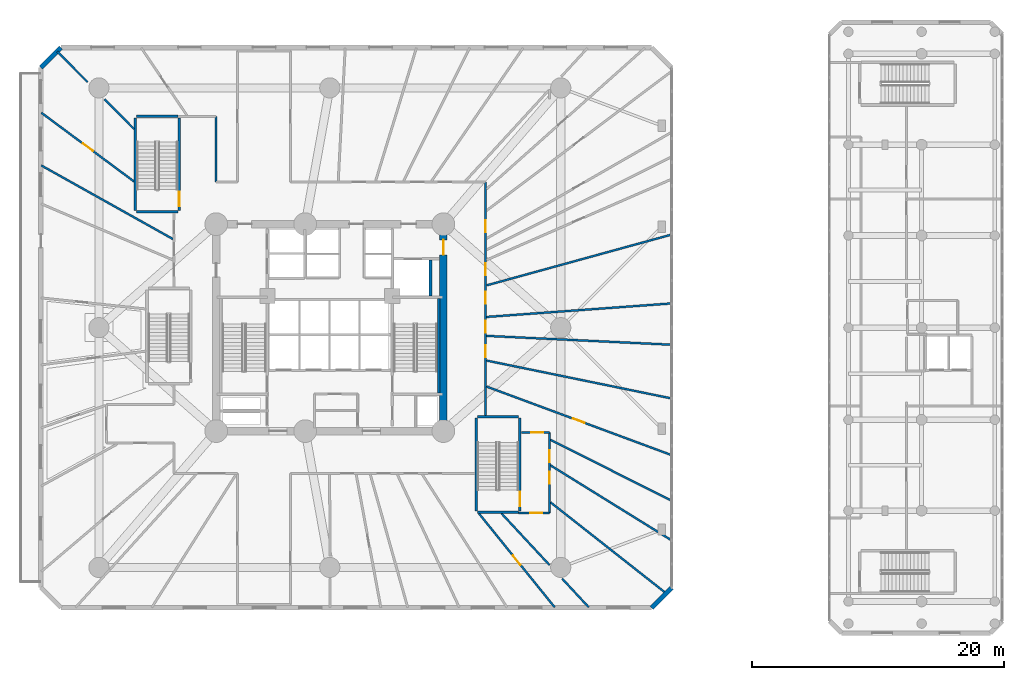
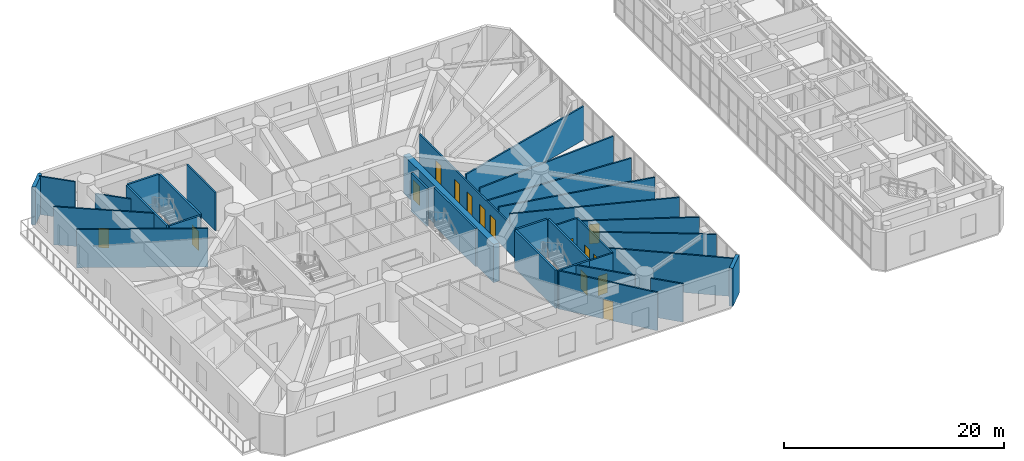
# One storey, part 15 of 24: 33 walls, 15 doors, 15 openings.
"""IFC4 building model written with IfcOpenShell, lengths in metres."""

import ifcopenshell
import ifcopenshell.guid

model = None  # the IFC model being written
_history = None  # IfcOwnerHistory: only IFC2X3 demands one
_inside = {}  # id of a spatial element -> (the spatial element, [elements in it])
_under = {}  # id of a project, library or spatial element -> (it, [spatial elements below it])
_declared = {}  # id of a project -> (the project, [libraries it declares])
_typed = {}  # id of a type object -> (the type object, [elements of that type])
_made_of = {}  # id of a material, layer set ... -> (it, [elements and type objects made of it])


def new_model(schema):
    """Start an empty IFC model of exactly this schema.

    Asked for "IFC4X3", IfcOpenShell would pick the latest addendum, in which some entities
    have other attributes; the version numbers below select the first issue.
    IFC2X3 requires an IfcOwnerHistory on every rooted entity: one is made here for all.
    """
    global model, _history
    if schema == "IFC4X3":
        model = ifcopenshell.file(schema_version=(4, 3, 0, 0))
    else:
        model = ifcopenshell.file(schema=schema)
    _inside.clear()
    _under.clear()
    _declared.clear()
    _typed.clear()
    _made_of.clear()
    _history = None
    if model.schema == "IFC2X3":
        org = make("IfcOrganization", Name="unknown")
        user = make(
            "IfcPersonAndOrganization",
            ThePerson=make("IfcPerson", FamilyName="unknown"),
            TheOrganization=org,
        )
        app = make(
            "IfcApplication",
            ApplicationDeveloper=org,
            Version="unknown",
            ApplicationFullName="unknown",
            ApplicationIdentifier="unknown",
        )
        _history = make(
            "IfcOwnerHistory",
            OwningUser=user,
            OwningApplication=app,
            ChangeAction="ADDED",
            CreationDate=0,
        )
    return model


def make(cls, **values):
    """One entity of the class cls with the attributes given. An attribute that is None is left unset."""
    return model.create_entity(
        cls, **{name: value for name, value in values.items() if value is not None}
    )


def rooted(cls, **values):
    """An entity with a GlobalId (a new one), such as an element, a storey or a relation."""
    return make(cls, GlobalId=ifcopenshell.guid.new(), OwnerHistory=_history, **values)


def si_unit(unit_type, name, prefix=None):
    """IfcSIUnit, for example si_unit("LENGTHUNIT", "METRE", prefix="MILLI")."""
    return make("IfcSIUnit", UnitType=unit_type, Prefix=prefix, Name=name)


def assignment(units):
    """IfcUnitAssignment: the units of a project."""
    return None if units is None else make("IfcUnitAssignment", Units=units)


def point(xyz):
    """IfcCartesianPoint."""
    return None if xyz is None else make("IfcCartesianPoint", Coordinates=xyz)


def direction(xyz):
    """IfcDirection."""
    return None if xyz is None else make("IfcDirection", DirectionRatios=xyz)


def frame(location, z_axis=None, x_axis=None):
    """IfcAxis2Placement3D, a coordinate frame: its origin and axes. An axis left out is left unset."""
    return make(
        "IfcAxis2Placement3D",
        Location=point(location),
        Axis=direction(z_axis),
        RefDirection=direction(x_axis),
    )


def frame_2d(location, x_axis=None):
    """IfcAxis2Placement2D, a coordinate frame in the plane: its origin and x axis."""
    return make(
        "IfcAxis2Placement2D", Location=point(location), RefDirection=direction(x_axis)
    )


def origin():
    """The frame at (0, 0, 0) with its axes left unset."""
    return frame((0.0, 0.0, 0.0))


def origin_with_axes():
    """The frame at (0, 0, 0) with the z axis (0, 0, 1) and the x axis (1, 0, 0) written out."""
    return frame((0.0, 0.0, 0.0), z_axis=(0.0, 0.0, 1.0), x_axis=(1.0, 0.0, 0.0))


def place(relative_to, where):
    """IfcLocalPlacement: puts the frame where relative to a parent placement (None: the world)."""
    return make(
        "IfcLocalPlacement", PlacementRelTo=relative_to, RelativePlacement=where
    )


def context(
    kind, dimensions, precision=None, world=None, true_north=None, identifier=None
):
    """IfcGeometricRepresentationContext, for example the 3D "Model" context."""
    return make(
        "IfcGeometricRepresentationContext",
        ContextIdentifier=identifier,
        ContextType=kind,
        CoordinateSpaceDimension=dimensions,
        Precision=precision,
        WorldCoordinateSystem=world,
        TrueNorth=true_north,
    )


def subcontext(parent, identifier, kind, view, scale=None):
    """IfcGeometricRepresentationSubContext, for example "Body" below "Model"."""
    return make(
        "IfcGeometricRepresentationSubContext",
        ContextIdentifier=identifier,
        ContextType=kind,
        ParentContext=parent,
        TargetScale=scale,
        TargetView=view,
    )


def project(units=None, contexts=None):
    """IfcProject with its units and contexts."""
    return rooted(
        "IfcProject",
        Name="project",
        RepresentationContexts=contexts,
        UnitsInContext=assignment(units),
    )


def spatial(cls, under=None, at=None, **own):
    """A site, building, storey or space (cls), placed at a placement, below another one or the project."""
    s = rooted(cls, ObjectPlacement=at, **own)
    if under is not None:
        _under.setdefault(under.id(), (under, []))[1].append(s)
    return s


def profile(cls, at=None, kind="AREA", **sizes):
    """A parametric profile (cls). Its sizes go by their IFC names, for example OverallWidth=200.0."""
    return make(cls, ProfileType=kind, Position=at, **sizes)


def rectangle(**sizes):
    """IfcRectangleProfileDef."""
    return profile("IfcRectangleProfileDef", **sizes)


def extrude(swept, where, along, depth):
    """IfcExtrudedAreaSolid: the profile swept, set in the frame where, extruded along a direction by depth."""
    return make(
        "IfcExtrudedAreaSolid",
        SweptArea=swept,
        Position=where,
        ExtrudedDirection=direction(along),
        Depth=depth,
    )


def shape(context_of_items, identifier, shape_type, items):
    """IfcShapeRepresentation: the items that make up one representation, for example the "Body"."""
    return make(
        "IfcShapeRepresentation",
        ContextOfItems=context_of_items,
        RepresentationIdentifier=identifier,
        RepresentationType=shape_type,
        Items=items,
    )


def source(mapping_origin, context_of_items, identifier, shape_type, items):
    """IfcRepresentationMap: a shape defined once, which mapped items show again and again."""
    return make(
        "IfcRepresentationMap",
        MappingOrigin=mapping_origin,
        MappedRepresentation=shape(context_of_items, identifier, shape_type, items),
    )


def transform(
    local_origin,
    x_axis=None,
    y_axis=None,
    z_axis=None,
    scale=None,
    scale2=None,
    scale3=None,
    uniform=True,
):
    """IfcCartesianTransformationOperator3D, or its non-uniform kind. x_axis, y_axis, z_axis: its Axis1, 2, 3."""
    if uniform:
        return make(
            "IfcCartesianTransformationOperator3D",
            Axis1=direction(x_axis),
            Axis2=direction(y_axis),
            LocalOrigin=point(local_origin),
            Scale=scale,
            Axis3=direction(z_axis),
        )
    return make(
        "IfcCartesianTransformationOperator3DnonUniform",
        Axis1=direction(x_axis),
        Axis2=direction(y_axis),
        LocalOrigin=point(local_origin),
        Scale=scale,
        Axis3=direction(z_axis),
        Scale2=scale2,
        Scale3=scale3,
    )


def mapped(mapping_source, mapping_target):
    """IfcMappedItem: shows the shape of a source again, moved by a transform."""
    return make(
        "IfcMappedItem", MappingSource=mapping_source, MappingTarget=mapping_target
    )


def material(Name=None, Category=None):
    """IfcMaterial."""
    return make("IfcMaterial", Name=Name, Category=Category)


def layer(
    of_material, thickness, ventilated=None, Name=None, Category=None, Priority=None
):
    """IfcMaterialLayer: one layer of a wall or slab, of a material (None: an air gap)."""
    return make(
        "IfcMaterialLayer",
        Material=of_material,
        LayerThickness=thickness,
        IsVentilated=ventilated,
        Name=Name,
        Category=Category,
        Priority=Priority,
    )


def layer_set(layers, Name=None):
    """IfcMaterialLayerSet."""
    return make("IfcMaterialLayerSet", MaterialLayers=layers, LayerSetName=Name)


def made_of(thing, what):
    """Note that an element or type object is made of a material, layer set ...; save() writes the relation."""
    if what is not None:
        _made_of.setdefault(what.id(), (what, []))[1].append(thing)
    return thing


def type_object(cls, material=None, **own):
    """A type object (cls), such as IfcWallType, which elements share."""
    return made_of(rooted(cls, **own), material)


def element(
    cls,
    number,
    at=None,
    inside=None,
    cuts=None,
    type_object=None,
    material=None,
    context=None,
    identifier="Body",
    shape_type=None,
    held_by="IfcProductDefinitionShape",
    body=None,
    shapes=None,
    **own,
):
    """One element of the class cls, such as IfcWall. Its Tag is "e" and its number.

    at: its placement. inside: the storey or other place that contains it. cuts: it is an
    opening in that element (IfcRelVoidsElement). A single representation is given by context,
    identifier, shape_type and body (its items); several are given by shapes. held_by: the class
    of the entity that holds the representations. save() writes the other relations.
    """
    e = rooted(cls, Tag="e%d" % number, ObjectPlacement=at, **own)
    if body is not None:
        shapes = [shape(context, identifier, shape_type, body)]
    if shapes is not None:
        e.Representation = make(held_by, Representations=shapes)
    if inside is not None:
        _inside.setdefault(inside.id(), (inside, []))[1].append(e)
    if cuts is not None:
        rooted(
            "IfcRelVoidsElement", RelatingBuildingElement=cuts, RelatedOpeningElement=e
        )
    if type_object is not None:
        _typed.setdefault(type_object.id(), (type_object, []))[1].append(e)
    return made_of(e, material)


def fill(opening, filler):
    """IfcRelFillsElement: the door or window that sits in an opening."""
    return rooted(
        "IfcRelFillsElement",
        RelatingOpeningElement=opening,
        RelatedBuildingElement=filler,
    )


def aggregate(whole, parts):
    """IfcRelAggregates: a whole, such as a stair, and the parts it consists of."""
    return rooted("IfcRelAggregates", RelatingObject=whole, RelatedObjects=parts)


def save(model, path):
    """Write the relations noted so far, then the file.

    IfcRelAggregates (storeys below a building ...), IfcRelContainedInSpatialStructure (elements
    in a storey), IfcRelDefinesByType, IfcRelAssociatesMaterial and IfcRelDeclares: one each for
    every whole, place, type object, material and project.
    """
    for whole, parts in _under.values():
        aggregate(whole, parts)
    for where, things in _inside.values():
        rooted(
            "IfcRelContainedInSpatialStructure",
            RelatedElements=things,
            RelatingStructure=where,
        )
    for kind, things in _typed.values():
        rooted("IfcRelDefinesByType", RelatedObjects=things, RelatingType=kind)
    for what, things in _made_of.values():
        rooted("IfcRelAssociatesMaterial", RelatedObjects=things, RelatingMaterial=what)
    for by, libraries in _declared.values():
        rooted("IfcRelDeclares", RelatingContext=by, RelatedDefinitions=libraries)
    model.write(path)


model = new_model("IFC4")

# Units and contexts
model_context = context("Model", 3, precision=1e-05, world=origin(), true_north=direction((0.0, 1.0)))
body_context = subcontext(model_context, "Body", "Model", "MODEL_VIEW")
ifc_project = project(units=[si_unit("LENGTHUNIT", "METRE"), si_unit("AREAUNIT", "SQUARE_METRE"), si_unit("VOLUMEUNIT", "CUBIC_METRE"), si_unit("PLANEANGLEUNIT", "RADIAN"), si_unit("MASSUNIT", "GRAM", prefix="KILO")], contexts=[model_context])

# Site, building, storey
site_placement = place(None, origin())
site = spatial("IfcSite", under=ifc_project, at=site_placement, CompositionType="ELEMENT")
building_placement = place(site_placement, origin())
building = spatial("IfcBuilding", under=site, at=building_placement, Name="Karkom Vertical University and Central Library", CompositionType="ELEMENT")
storey_placement = place(building_placement, frame((0.0, 0.0, 13.5)))
storey = spatial("IfcBuildingStorey", under=building, at=storey_placement, Name="L03", CompositionType="ELEMENT", Elevation=13.5)

# Walls
ifc_material_1 = material(Name="Brick masonry 360mm insulated cavity", Category="masonry")
ifc_layer_1 = layer(ifc_material_1, 0.360107421875)
ifc_layer_set_1 = layer_set([ifc_layer_1], Name="Brick masonry 360mm insulated cavity")
wall_type_1 = type_object("IfcWallType", Name="ENV-WL-BRK-360", PredefinedType="SOLIDWALL", material=ifc_layer_set_1)
wall_1_placement = place(storey_placement, frame((54.0, 4.300048828125, 0.0), z_axis=(0.0, 0.0, 1.0), x_axis=(0.707160727918, 0.707052830339, 0.0)))
element("IfcWall", 1, at=wall_1_placement, inside=storey, type_object=wall_type_1, Name="Level 03 POD Terracotta Brick Facade Wall 02", PredefinedType="SOLIDWALL", context=body_context, shape_type="SweptSolid", body=[
    extrude(rectangle(XDim=2.2626953125, YDim=0.360107421875, at=frame_2d((1.13134765625, 0.0))), origin(), (0.0, 0.0, 1.0), 4.22509765625),
])
wall_2_placement = place(storey_placement, frame((7.199951171875, 48.699951171875, 0.0), z_axis=(0.0, 0.0, 1.0), x_axis=(-0.707106781187, -0.707106781187, 0.0)))
element("IfcWall", 2, at=wall_2_placement, inside=storey, type_object=wall_type_1, Name="Level 03 POD Terracotta Brick Facade Wall 06", PredefinedType="SOLIDWALL", context=body_context, shape_type="SweptSolid", body=[
    extrude(rectangle(XDim=2.262451171875, YDim=0.360107421875, at=frame_2d((1.13134765625, 0.0))), origin(), (0.0, 0.0, 1.0), 4.22509765625),
])

# Wall, openings, doors
ifc_material_2 = material(Name="Insulated metal-stud drywall 160mm", Category="gypsum")
ifc_layer_2 = layer(ifc_material_2, 0.159912109375)
ifc_layer_set_2 = layer_set([ifc_layer_2], Name="Insulated metal-stud drywall 160mm")
wall_type_2 = type_object("IfcWallType", Name="INT-WL-COR-160", PredefinedType="PARTITIONING", material=ifc_layer_set_2)
wall_3_placement = place(storey_placement, frame((40.85009765625, 38.050048828125, 0.0), z_axis=(0.0, 0.0, 1.0), x_axis=(0.0, -1.0, 0.0)))
wall_3 = element("IfcWall", 3, at=wall_3_placement, inside=storey, type_object=wall_type_2, Name="Level 03 Interior Partition Wall Level 03-PDCW-CW-009", PredefinedType="PARTITIONING", context=body_context, shape_type="SweptSolid", body=[
    extrude(rectangle(XDim=18.508056640625, YDim=0.159912109375, at=frame_2d((9.25390625, 0.0))), origin(), (0.0, 0.0, 1.0), 3.27490234375),
])
opening_1_placement = place(wall_3_placement, frame((12.93994140625, 0.0, 0.0)))
opening_1 = element("IfcOpeningElement", 4, at=opening_1_placement, cuts=wall_3, Name="Opening FD-RM2", PredefinedType="OPENING", context=body_context, shape_type="SweptSolid", body=[
    extrude(rectangle(XDim=0.9599609375, YDim=2.14990234375, at=frame_2d((0.47998046875, 1.074951171875))), frame((0.0, 0.08984375, 0.0), z_axis=(0.0, -1.0, 0.0), x_axis=(1.0, 0.0, 0.0)), (0.0, 0.0, 1.0), 0.179931640625),
])
opening_2_placement = place(wall_3_placement, frame((11.006103515625, 0.0, 0.0)))
opening_2 = element("IfcOpeningElement", 5, at=opening_2_placement, cuts=wall_3, Name="Opening FD-RM2", PredefinedType="OPENING", context=body_context, shape_type="SweptSolid", body=[
    extrude(rectangle(XDim=0.9599609375, YDim=2.14990234375, at=frame_2d((0.47998046875, 1.074951171875))), frame((0.0, 0.08984375, 0.0), z_axis=(0.0, -1.0, 0.0), x_axis=(1.0, 0.0, 0.0)), (0.0, 0.0, 1.0), 0.179931640625),
])
opening_3_placement = place(wall_3_placement, frame((8.695068359375, 0.0, 0.0)))
opening_3 = element("IfcOpeningElement", 6, at=opening_3_placement, cuts=wall_3, Name="Opening FD-RM2", PredefinedType="OPENING", context=body_context, shape_type="SweptSolid", body=[
    extrude(rectangle(XDim=0.9599609375, YDim=2.14990234375, at=frame_2d((0.47998046875, 1.074951171875))), frame((0.0, 0.08984375, 0.0), z_axis=(0.0, -1.0, 0.0), x_axis=(1.0, 0.0, 0.0)), (0.0, 0.0, 1.0), 0.179931640625),
])
opening_4_placement = place(wall_3_placement, frame((6.43408203125, 0.0, 0.0)))
opening_4 = element("IfcOpeningElement", 7, at=opening_4_placement, cuts=wall_3, Name="Opening FD-RM2", PredefinedType="OPENING", context=body_context, shape_type="SweptSolid", body=[
    extrude(rectangle(XDim=0.9599609375, YDim=2.14990234375, at=frame_2d((0.47998046875, 1.074951171875))), frame((0.0, 0.08984375, 0.0), z_axis=(0.0, -1.0, 0.0), x_axis=(1.0, 0.0, 0.0)), (0.0, 0.0, 1.0), 0.179931640625),
])
opening_5_placement = place(wall_3_placement, frame((3.02001953125, 0.0, 0.0)))
opening_5 = element("IfcOpeningElement", 8, at=opening_5_placement, cuts=wall_3, Name="Opening FD-RM2", PredefinedType="OPENING", context=body_context, shape_type="SweptSolid", body=[
    extrude(rectangle(XDim=0.9599609375, YDim=2.14990234375, at=frame_2d((0.47998046875, 1.074951171875))), frame((0.0, 0.08984375, 0.0), z_axis=(0.0, -1.0, 0.0), x_axis=(1.0, 0.0, 0.0)), (0.0, 0.0, 1.0), 0.179931640625),
])
ifc_material_3 = material(Name="Fire-rated oak veneer door", Category="wood")
door_type_1 = type_object("IfcDoorType", Name="INT-DR-FRM2", OperationType="NOTDEFINED", PredefinedType="DOOR", material=ifc_material_3)
shared_shape_1 = source(origin_with_axes(), body_context, "Body", "SweptSolid", [
    extrude(rectangle(XDim=0.9599609375, YDim=2.14990234375, at=frame_2d((0.47998046875, 1.074951171875))), frame((0.0, 0.02490234375, 0.0), z_axis=(0.0, -1.0, 0.0), x_axis=(1.0, 0.0, 0.0)), (0.0, 0.0, 1.0), 0.050048828125),
])
door_1_placement = place(opening_1_placement, origin())
door_1 = element("IfcDoor", 9, at=door_1_placement, inside=storey, type_object=door_type_1, Name="Level 03 Room Entry Door 819", OperationType="SINGLE_SWING_RIGHT", OverallHeight=2.14990234375, OverallWidth=0.9599609375, PredefinedType="DOOR", context=body_context, shape_type="MappedRepresentation", body=[
    mapped(shared_shape_1, transform((0.0, 0.0, 0.0), scale=1.0)),
])
fill(opening_1, door_1)
door_2_placement = place(opening_2_placement, origin())
door_2 = element("IfcDoor", 10, at=door_2_placement, inside=storey, type_object=door_type_1, Name="Level 03 Room Entry Door 820", OperationType="SINGLE_SWING_LEFT", OverallHeight=2.14990234375, OverallWidth=0.9599609375, PredefinedType="DOOR", context=body_context, shape_type="MappedRepresentation", body=[
    mapped(shared_shape_1, transform((0.0, 0.0, 0.0), scale=1.0)),
])
fill(opening_2, door_2)
door_3_placement = place(opening_3_placement, origin())
door_3 = element("IfcDoor", 11, at=door_3_placement, inside=storey, type_object=door_type_1, Name="Level 03 Room Entry Door 821", OperationType="SINGLE_SWING_RIGHT", OverallHeight=2.14990234375, OverallWidth=0.9599609375, PredefinedType="DOOR", context=body_context, shape_type="MappedRepresentation", body=[
    mapped(shared_shape_1, transform((0.0, 0.0, 0.0), scale=1.0)),
])
fill(opening_3, door_3)
door_4_placement = place(opening_4_placement, origin())
door_4 = element("IfcDoor", 12, at=door_4_placement, inside=storey, type_object=door_type_1, Name="Level 03 Room Entry Door 822", OperationType="SINGLE_SWING_LEFT", OverallHeight=2.14990234375, OverallWidth=0.9599609375, PredefinedType="DOOR", context=body_context, shape_type="MappedRepresentation", body=[
    mapped(shared_shape_1, transform((0.0, 0.0, 0.0), scale=1.0)),
])
fill(opening_4, door_4)
door_5_placement = place(opening_5_placement, origin())
door_5 = element("IfcDoor", 13, at=door_5_placement, inside=storey, type_object=door_type_1, Name="Level 03 Room Entry Door 824", OperationType="SINGLE_SWING_LEFT", OverallHeight=2.14990234375, OverallWidth=0.9599609375, PredefinedType="DOOR", context=body_context, shape_type="MappedRepresentation", body=[
    mapped(shared_shape_1, transform((0.0, 0.0, 0.0), scale=1.0)),
])
fill(opening_5, door_5)

# Wall, opening, door
wall_4_placement = place(storey_placement, frame((40.91796875, 21.83447265625, 0.0), z_axis=(0.0, 0.0, 1.0), x_axis=(0.937689005533, -0.347475652244, 0.0)))
wall_4 = element("IfcWall", 14, at=wall_4_placement, inside=storey, type_object=wall_type_2, Name="Level 03 Interior Partition Wall Level 03-PODW-18-19-1", PredefinedType="PARTITIONING", context=body_context, shape_type="SweptSolid", body=[
    extrude(rectangle(XDim=15.626708984375, YDim=0.159912109375, at=frame_2d((7.8134765625, 0.0))), origin(), (0.0, 0.0, 1.0), 4.22509765625),
])
opening_6_placement = place(wall_4_placement, frame((7.313232421875, 0.0, 0.0)))
opening_6 = element("IfcOpeningElement", 15, at=opening_6_placement, cuts=wall_4, Name="Opening FD-RM2", PredefinedType="OPENING", context=body_context, shape_type="SweptSolid", body=[
    extrude(rectangle(XDim=0.9599609375, YDim=2.14990234375, at=frame_2d((0.47998046875, 1.074951171875))), frame((0.0, 0.08984375, 0.0), z_axis=(0.0, -1.0, 0.0), x_axis=(1.0, 0.0, 0.0)), (0.0, 0.0, 1.0), 0.179931640625),
])
door_6_placement = place(opening_6_placement, origin())
door_6 = element("IfcDoor", 16, at=door_6_placement, inside=storey, type_object=door_type_1, Name="Level 03 Room Entry Door 818", OperationType="SINGLE_SWING_LEFT", OverallHeight=2.14990234375, OverallWidth=0.9599609375, PredefinedType="DOOR", context=body_context, shape_type="MappedRepresentation", body=[
    mapped(shared_shape_1, transform((0.0, 0.0, 0.0), scale=1.0)),
])
fill(opening_6, door_6)

# Walls
wall_5_placement = place(storey_placement, frame((40.931884765625, 29.852294921875, 0.0), z_axis=(0.0, 0.0, 1.0), x_axis=(0.964293624469, 0.264835431556, 0.0)))
element("IfcWall", 17, at=wall_5_placement, inside=storey, type_object=wall_type_2, Name="Level 03 Interior Partition Wall Level 03-PODW-22-23-1", PredefinedType="PARTITIONING", context=body_context, shape_type="SweptSolid", body=[
    extrude(rectangle(XDim=15.18310546875, YDim=0.159912109375, at=frame_2d((7.591552734375, 0.0))), origin(), (0.0, 0.0, 1.0), 3.72509765625),
])
wall_6_placement = place(storey_placement, frame((40.931884765625, 23.891357421875, 0.0), z_axis=(0.0, 0.0, 1.0), x_axis=(0.979644974136, -0.200737950197, 0.0)))
element("IfcWall", 18, at=wall_6_placement, inside=storey, type_object=wall_type_2, Name="Level 03 Interior Partition Wall Level 03-PODW-19-20-1", PredefinedType="PARTITIONING", context=body_context, shape_type="SweptSolid", body=[
    extrude(rectangle(XDim=14.946044921875, YDim=0.159912109375, at=frame_2d((7.47314453125, 0.0))), origin(), (0.0, 0.0, 1.0), 3.72509765625),
])
wall_7_placement = place(storey_placement, frame((40.931884765625, 27.348876953125, 0.0), z_axis=(0.0, 0.0, 1.0), x_axis=(0.997339240678, 0.072900198928, 0.0)))
element("IfcWall", 19, at=wall_7_placement, inside=storey, type_object=wall_type_2, Name="Level 03 Interior Partition Wall Level 03-PODW-21-22-1", PredefinedType="PARTITIONING", context=body_context, shape_type="SweptSolid", body=[
    extrude(rectangle(XDim=14.681884765625, YDim=0.159912109375, at=frame_2d((7.3408203125, 0.0))), origin(), (0.0, 0.0, 1.0), 3.72509765625),
])
wall_8_placement = place(storey_placement, frame((40.9169921875, 25.847412109375, 0.0), z_axis=(0.0, 0.0, 1.0), x_axis=(0.998863390111, -0.047664744794, 0.0)))
element("IfcWall", 20, at=wall_8_placement, inside=storey, type_object=wall_type_2, Name="Level 03 Interior Partition Wall Level 03-PODW-20-21-1", PredefinedType="PARTITIONING", context=body_context, shape_type="SweptSolid", body=[
    extrude(rectangle(XDim=14.674560546875, YDim=0.159912109375, at=frame_2d((7.33740234375, 0.0))), origin(), (0.0, 0.0, 1.0), 3.27490234375),
])
wall_9_placement = place(storey_placement, frame((16.068115234375, 33.521240234375, 0.0), z_axis=(0.0, 0.0, 1.0), x_axis=(-0.872792797225, 0.488090906607, 0.0)))
element("IfcWall", 21, at=wall_9_placement, inside=storey, type_object=wall_type_2, Name="Level 03 Interior Partition Wall Level 03-PODW-37-38-1", PredefinedType="PARTITIONING", context=body_context, shape_type="SweptSolid", body=[
    extrude(rectangle(XDim=11.95556640625, YDim=0.159912109375, at=frame_2d((5.977783203125, 0.0))), origin(), (0.0, 0.0, 1.0), 4.22509765625),
])
wall_10_placement = place(storey_placement, frame((45.98193359375, 12.66552734375, 0.0), z_axis=(0.0, 0.0, 1.0), x_axis=(0.785844350615, -0.618424333776, 0.0)))
element("IfcWall", 22, at=wall_10_placement, inside=storey, type_object=wall_type_2, Name="Level 03 Interior Partition Wall Level 03-PODW-15-16-1", PredefinedType="PARTITIONING", context=body_context, shape_type="SweptSolid", body=[
    extrude(rectangle(XDim=11.64111328125, YDim=0.159912109375, at=frame_2d((5.820556640625, 0.0))), origin(), (0.0, 0.0, 1.0), 4.22509765625),
])
wall_11_placement = place(storey_placement, frame((45.98193359375, 15.59521484375, 0.0), z_axis=(0.0, 0.0, 1.0), x_axis=(0.849998298484, -0.526785433145, 0.0)))
element("IfcWall", 23, at=wall_11_placement, inside=storey, type_object=wall_type_2, Name="Level 03 Interior Partition Wall Level 03-PODW-16-17-1", PredefinedType="PARTITIONING", context=body_context, shape_type="SweptSolid", body=[
    extrude(rectangle(XDim=11.2744140625, YDim=0.159912109375, at=frame_2d((5.63720703125, 0.0))), origin(), (0.0, 0.0, 1.0), 4.22509765625),
])
wall_12_placement = place(storey_placement, frame((45.98193359375, 17.62060546875, 0.0), z_axis=(0.0, 0.0, 1.0), x_axis=(0.892971532671, -0.450113143375, 0.0)))
element("IfcWall", 24, at=wall_12_placement, inside=storey, type_object=wall_type_2, Name="Level 03 Interior Partition Wall Level 03-PODW-17-18-1", PredefinedType="PARTITIONING", context=body_context, shape_type="SweptSolid", body=[
    extrude(rectangle(XDim=10.735107421875, YDim=0.159912109375, at=frame_2d((5.36767578125, 0.0))), origin(), (0.0, 0.0, 1.0), 4.22509765625),
])

# Wall, opening, door
wall_13_placement = place(storey_placement, frame((40.318603515625, 11.77294921875, 0.0), z_axis=(0.0, 0.0, 1.0), x_axis=(0.628386466177, -0.77790131066, 0.0)))
wall_13 = element("IfcWall", 25, at=wall_13_placement, inside=storey, type_object=wall_type_2, Name="Level 03 Interior Partition Wall Level 03-PODW-13-14-1", PredefinedType="PARTITIONING", context=body_context, shape_type="SweptSolid", body=[
    extrude(rectangle(XDim=9.5556640625, YDim=0.159912109375, at=frame_2d((4.77783203125, 0.0))), origin(), (0.0, 0.0, 1.0), 4.22509765625),
])
opening_7_placement = place(wall_13_placement, frame((4.285400390625, 0.0, 0.0)))
opening_7 = element("IfcOpeningElement", 26, at=opening_7_placement, cuts=wall_13, Name="Opening FD-RM2", PredefinedType="OPENING", context=body_context, shape_type="SweptSolid", body=[
    extrude(rectangle(XDim=0.9599609375, YDim=2.14990234375, at=frame_2d((0.47998046875, 1.074951171875))), frame((0.0, 0.08984375, 0.0), z_axis=(0.0, -1.0, 0.0), x_axis=(1.0, 0.0, 0.0)), (0.0, 0.0, 1.0), 0.179931640625),
])
door_7_placement = place(opening_7_placement, origin())
door_7 = element("IfcDoor", 27, at=door_7_placement, inside=storey, type_object=door_type_1, Name="Level 03 Room Entry Door 813", OperationType="SINGLE_SWING_RIGHT", OverallHeight=2.14990234375, OverallWidth=0.9599609375, PredefinedType="DOOR", context=body_context, shape_type="MappedRepresentation", body=[
    mapped(shared_shape_1, transform((0.0, 0.0, 0.0), scale=1.0)),
])
fill(opening_7, door_7)

wall_14_placement = place(storey_placement, frame((13.0048828125, 38.069091796875, 0.0), z_axis=(0.0, 0.0, 1.0), x_axis=(-0.803144450806, 0.595784349526, 0.0)))
wall_14 = element("IfcWall", 28, at=wall_14_placement, inside=storey, type_object=wall_type_2, Name="Level 03 Interior Partition Wall Level 03-PODW-36-37-1", PredefinedType="PARTITIONING", context=body_context, shape_type="SweptSolid", body=[
    extrude(rectangle(XDim=9.1728515625, YDim=0.159912109375, at=frame_2d((4.58642578125, 0.0))), origin(), (0.0, 0.0, 1.0), 4.22509765625),
])
opening_8_placement = place(wall_14_placement, frame((4.08642578125, 0.0, 0.0)))
opening_8 = element("IfcOpeningElement", 29, at=opening_8_placement, cuts=wall_14, Name="Opening FD-RM2", PredefinedType="OPENING", context=body_context, shape_type="SweptSolid", body=[
    extrude(rectangle(XDim=0.9599609375, YDim=2.14990234375, at=frame_2d((0.47998046875, 1.074951171875))), frame((0.0, 0.08984375, 0.0), z_axis=(0.0, -1.0, 0.0), x_axis=(1.0, 0.0, 0.0)), (0.0, 0.0, 1.0), 0.179931640625),
])
door_8_placement = place(opening_8_placement, origin())
door_8 = element("IfcDoor", 30, at=door_8_placement, inside=storey, type_object=door_type_1, Name="Level 03 Room Entry Door 835", OperationType="SINGLE_SWING_RIGHT", OverallHeight=2.14990234375, OverallWidth=0.9599609375, PredefinedType="DOOR", context=body_context, shape_type="MappedRepresentation", body=[
    mapped(shared_shape_1, transform((0.0, 0.0, 0.0), scale=1.0)),
])
fill(opening_8, door_8)

# Wall, openings, doors
wall_15_placement = place(storey_placement, frame((45.89990234375, 18.199951171875, 0.0), z_axis=(0.0, 0.0, 1.0), x_axis=(0.0, -1.0, 0.0)))
wall_15 = element("IfcWall", 31, at=wall_15_placement, inside=storey, type_object=wall_type_2, Name="Level 03 Interior Partition Wall Level 03-PDCW-CW-022", PredefinedType="PARTITIONING", context=body_context, shape_type="SweptSolid", body=[
    extrude(rectangle(XDim=6.39990234375, YDim=0.159912109375, at=frame_2d((3.199951171875, 0.0))), origin(), (0.0, 0.0, 1.0), 4.22509765625),
])
opening_9_placement = place(wall_15_placement, frame((3.114990234375, 0.0, 0.0)))
opening_9 = element("IfcOpeningElement", 32, at=opening_9_placement, cuts=wall_15, Name="Opening FD-RM2", PredefinedType="OPENING", context=body_context, shape_type="SweptSolid", body=[
    extrude(rectangle(XDim=0.9599609375, YDim=2.14990234375, at=frame_2d((0.47998046875, 1.074951171875))), frame((0.0, 0.08984375, 0.0), z_axis=(0.0, -1.0, 0.0), x_axis=(1.0, 0.0, 0.0)), (0.0, 0.0, 1.0), 0.179931640625),
])
opening_10_placement = place(wall_15_placement, frame((1.425048828125, 0.0, 0.0)))
opening_10 = element("IfcOpeningElement", 33, at=opening_10_placement, cuts=wall_15, Name="Opening FD-RM2", PredefinedType="OPENING", context=body_context, shape_type="SweptSolid", body=[
    extrude(rectangle(XDim=0.9599609375, YDim=2.14990234375, at=frame_2d((0.47998046875, 1.074951171875))), frame((0.0, 0.08984375, 0.0), z_axis=(0.0, -1.0, 0.0), x_axis=(1.0, 0.0, 0.0)), (0.0, 0.0, 1.0), 0.179931640625),
])
door_9_placement = place(opening_9_placement, origin())
door_9 = element("IfcDoor", 34, at=door_9_placement, inside=storey, type_object=door_type_1, Name="Level 03 Room Entry Door 815", OperationType="SINGLE_SWING_RIGHT", OverallHeight=2.14990234375, OverallWidth=0.9599609375, PredefinedType="DOOR", context=body_context, shape_type="MappedRepresentation", body=[
    mapped(shared_shape_1, transform((0.0, 0.0, 0.0), scale=1.0)),
])
fill(opening_9, door_9)
door_10_placement = place(opening_10_placement, origin())
door_10 = element("IfcDoor", 35, at=door_10_placement, inside=storey, type_object=door_type_1, Name="Level 03 Room Entry Door 816", OperationType="SINGLE_SWING_LEFT", OverallHeight=2.14990234375, OverallWidth=0.9599609375, PredefinedType="DOOR", context=body_context, shape_type="MappedRepresentation", body=[
    mapped(shared_shape_1, transform((0.0, 0.0, 0.0), scale=1.0)),
])
fill(opening_10, door_10)

# Walls
wall_16_placement = place(storey_placement, frame((42.10107421875, 11.783935546875, 0.0), z_axis=(0.0, 0.0, 1.0), x_axis=(0.680931425019, -0.732347181616, 0.0)))
element("IfcWall", 36, at=wall_16_placement, inside=storey, type_object=wall_type_2, Name="Level 03 Interior Partition Wall Level 03-PODW-14-15-1", PredefinedType="PARTITIONING", context=body_context, shape_type="SweptSolid", body=[
    extrude(rectangle(XDim=5.593505859375, YDim=0.159912109375, at=frame_2d((2.796875, 0.0))), origin(), (0.0, 0.0, 1.0), 4.22509765625),
])
wall_17_placement = place(storey_placement, frame((19.47998046875, 43.25, 0.0), z_axis=(0.0, 0.0, 1.0), x_axis=(0.0, -1.0, 0.0)))
element("IfcWall", 37, at=wall_17_placement, inside=storey, type_object=wall_type_2, Name="Level 03 Interior Partition Wall Level 03-PDCW-CW-003", PredefinedType="PARTITIONING", context=body_context, shape_type="SweptSolid", body=[
    extrude(rectangle(XDim=5.199951171875, YDim=0.159912109375, at=frame_2d((2.60009765625, 0.0))), origin(), (0.0, 0.0, 1.0), 4.22509765625),
])
wall_18_placement = place(storey_placement, frame((9.31005859375, 45.951904296875, 0.0), z_axis=(0.0, 0.0, 1.0), x_axis=(-0.70384207674, 0.710356481641, 0.0)))
element("IfcWall", 38, at=wall_18_placement, inside=storey, type_object=wall_type_2, Name="Level 03 Interior Partition Wall Level 03-PODW-35-36-3", PredefinedType="PARTITIONING", context=body_context, shape_type="SweptSolid", body=[
    extrude(rectangle(XDim=3.410400390625, YDim=0.159912109375, at=frame_2d((1.705078125, 0.0))), origin(), (0.0, 0.0, 1.0), 4.22509765625),
])
wall_19_placement = place(storey_placement, frame((13.003662109375, 42.224365234375, 0.0), z_axis=(0.0, 0.0, 1.0), x_axis=(-0.703864643425, 0.710334121197, 0.0)))
element("IfcWall", 39, at=wall_19_placement, inside=storey, type_object=wall_type_2, Name="Level 03 Interior Partition Wall Level 03-PODW-35-36-1", PredefinedType="PARTITIONING", context=body_context, shape_type="SweptSolid", body=[
    extrude(rectangle(XDim=3.358642578125, YDim=0.159912109375, at=frame_2d((1.67919921875, 0.0))), origin(), (0.0, 0.0, 1.0), 3.27490234375),
])
wall_20_placement = place(storey_placement, frame((46.91162109375, 6.610107421875, 0.0), z_axis=(0.0, 0.0, 1.0), x_axis=(0.680895523886, -0.732380560605, 0.0)))
element("IfcWall", 40, at=wall_20_placement, inside=storey, type_object=wall_type_2, Name="Level 03 Interior Partition Wall Level 03-PODW-14-15-2", PredefinedType="PARTITIONING", context=body_context, shape_type="SweptSolid", body=[
    extrude(rectangle(XDim=3.096435546875, YDim=0.159912109375, at=frame_2d((1.54833984375, 0.0))), origin(), (0.0, 0.0, 1.0), 4.22509765625),
])

# Wall, opening, door
wall_21_placement = place(storey_placement, frame((45.89990234375, 11.800048828125, 0.0), z_axis=(0.0, 0.0, 1.0), x_axis=(-1.0, 0.0, 0.0)))
wall_21 = element("IfcWall", 41, at=wall_21_placement, inside=storey, type_object=wall_type_2, Name="Level 03 Interior Partition Wall Level 03-PDCW-CW-020", PredefinedType="PARTITIONING", context=body_context, shape_type="SweptSolid", body=[
    extrude(rectangle(XDim=2.434814453125, YDim=0.159912109375, at=frame_2d((1.21728515625, 0.0))), origin(), (0.0, 0.0, 1.0), 4.22509765625),
])
opening_11_placement = place(wall_21_placement, frame((0.554931640625, 0.0, 0.0)))
opening_11 = element("IfcOpeningElement", 42, at=opening_11_placement, cuts=wall_21, Name="Opening FD-RM2", PredefinedType="OPENING", context=body_context, shape_type="SweptSolid", body=[
    extrude(rectangle(XDim=0.9599609375, YDim=2.14990234375, at=frame_2d((0.47998046875, 1.074951171875))), frame((0.0, 0.08984375, 0.0), z_axis=(0.0, -1.0, 0.0), x_axis=(1.0, 0.0, 0.0)), (0.0, 0.0, 1.0), 0.179931640625),
])
door_11_placement = place(opening_11_placement, origin())
door_11 = element("IfcDoor", 43, at=door_11_placement, inside=storey, type_object=door_type_1, Name="Level 03 Room Entry Door 814", OperationType="SINGLE_SWING_LEFT", OverallHeight=2.14990234375, OverallWidth=0.9599609375, PredefinedType="DOOR", context=body_context, shape_type="MappedRepresentation", body=[
    mapped(shared_shape_1, transform((0.0, 0.0, 0.0), scale=1.0)),
])
fill(opening_11, door_11)

wall_22_placement = place(storey_placement, frame((43.672119140625, 18.199951171875, 0.0), z_axis=(0.0, 0.0, 1.0), x_axis=(1.0, 0.0, 0.0)))
wall_22 = element("IfcWall", 44, at=wall_22_placement, inside=storey, type_object=wall_type_2, Name="Level 03 Interior Partition Wall Level 03-PDCW-CW-021", PredefinedType="PARTITIONING", context=body_context, shape_type="SweptSolid", body=[
    extrude(rectangle(XDim=2.227783203125, YDim=0.159912109375, at=frame_2d((1.11376953125, 0.0))), origin(), (0.0, 0.0, 1.0), 4.22509765625),
])
opening_12_placement = place(wall_22_placement, frame((0.794921875, 0.0, 0.0)))
opening_12 = element("IfcOpeningElement", 45, at=opening_12_placement, cuts=wall_22, Name="Opening FD-RM2", PredefinedType="OPENING", context=body_context, shape_type="SweptSolid", body=[
    extrude(rectangle(XDim=0.9599609375, YDim=2.14990234375, at=frame_2d((0.47998046875, 1.074951171875))), frame((0.0, 0.08984375, 0.0), z_axis=(0.0, -1.0, 0.0), x_axis=(1.0, 0.0, 0.0)), (0.0, 0.0, 1.0), 0.179931640625),
])
door_12_placement = place(opening_12_placement, origin())
door_12 = element("IfcDoor", 46, at=door_12_placement, inside=storey, type_object=door_type_1, Name="Level 03 Room Entry Door 817", OperationType="SINGLE_SWING_RIGHT", OverallHeight=2.14990234375, OverallWidth=0.9599609375, PredefinedType="DOOR", context=body_context, shape_type="MappedRepresentation", body=[
    mapped(shared_shape_1, transform((0.0, 0.0, 0.0), scale=1.0)),
])
fill(opening_12, door_12)

ifc_material_4 = material(Name="Concrete C50/60", Category="concrete")
ifc_layer_3 = layer(ifc_material_4, 0.60009765625)
ifc_layer_set_3 = layer_set([ifc_layer_3], Name="Concrete C50/60")
wall_type_3 = type_object("IfcWallType", Name="STR-WL-CW-600", PredefinedType="SHEAR", material=ifc_layer_set_3)
wall_23_placement = place(storey_placement, frame((37.5, 18.300048828125, 0.0), z_axis=(0.0, 0.0, 1.0), x_axis=(0.0, 1.0, 0.0)))
wall_23 = element("IfcWall", 47, at=wall_23_placement, inside=storey, type_object=wall_type_3, Name="Level 03 Central Core Shear Wall EW", PredefinedType="SHEAR", context=body_context, shape_type="SweptSolid", body=[
    extrude(rectangle(XDim=16.39990234375, YDim=0.60009765625, at=frame_2d((8.199951171875, 0.0))), origin(), (0.0, 0.0, 1.0), 4.22509765625),
])
opening_13_placement = place(wall_23_placement, frame((13.9599609375, 0.0, 0.0)))
opening_13 = element("IfcOpeningElement", 48, at=opening_13_placement, cuts=wall_23, Name="Opening FD-SUB1", PredefinedType="OPENING", context=body_context, shape_type="SweptSolid", body=[
    extrude(rectangle(XDim=1.199951171875, YDim=2.14990234375, at=frame_2d((0.60009765625, 1.074951171875))), frame((0.0, 0.31005859375, 0.0), z_axis=(0.0, -1.0, 0.0), x_axis=(1.0, 0.0, 0.0)), (0.0, 0.0, 1.0), 0.6201171875),
])
ifc_material_5 = material(Name="Painted steel fire door", Category="steel")
door_type_2 = type_object("IfcDoorType", Name="INT-DR-SUB1", OperationType="NOTDEFINED", PredefinedType="DOOR", material=ifc_material_5)
shared_shape_2 = source(origin_with_axes(), body_context, "Body", "SweptSolid", [
    extrude(rectangle(XDim=1.199951171875, YDim=2.14990234375, at=frame_2d((0.60009765625, 1.074951171875))), frame((0.0, 0.02490234375, 0.0), z_axis=(0.0, -1.0, 0.0), x_axis=(1.0, 0.0, 0.0)), (0.0, 0.0, 1.0), 0.050048828125),
])
door_13_placement = place(opening_13_placement, origin())
door_13 = element("IfcDoor", 49, at=door_13_placement, inside=storey, type_object=door_type_2, Name="Level 03 East Corridor Service Lobby Door", OperationType="SINGLE_SWING_RIGHT", OverallHeight=2.14990234375, OverallWidth=1.199951171875, PredefinedType="DOOR", context=body_context, shape_type="MappedRepresentation", body=[
    mapped(shared_shape_2, transform((0.0, 0.0, 0.0), scale=1.0)),
])
fill(opening_13, door_13)

# Walls
ifc_material_6 = material(Name="Concrete C45/55", Category="concrete")
ifc_layer_4 = layer(ifc_material_6, 0.199951171875)
ifc_layer_set_4 = layer_set([ifc_layer_4], Name="Concrete C45/55")
wall_type_4 = type_object("IfcWallType", Name="STR-WL-ST-200", PredefinedType="SHEAR", material=ifc_layer_set_4)
wall_24_placement = place(storey_placement, frame((37.125, 21.320068359375, 0.0), z_axis=(0.0, 0.0, 1.0), x_axis=(0.0, 1.0, 0.0)))
element("IfcWall", 50, at=wall_24_placement, inside=storey, type_object=wall_type_4, Name="Level 03 Core Shaft Wall Level 03-CW-ST2-E", PredefinedType="SHEAR", context=body_context, shape_type="SweptSolid", body=[
    extrude(rectangle(XDim=7.5, YDim=0.199951171875, at=frame_2d((3.75, 0.0))), origin(), (0.0, 0.0, 1.0), 4.22509765625),
])
wall_25_placement = place(storey_placement, frame((13.094970703125, 35.780029296875, 0.0), z_axis=(0.0, 0.0, 1.0), x_axis=(0.0, 1.0, 0.0)))
element("IfcWall", 51, at=wall_25_placement, inside=storey, type_object=wall_type_4, Name="Level 03 Core Shaft Wall Level 03-W-POD2-W", PredefinedType="SHEAR", context=body_context, shape_type="SweptSolid", body=[
    extrude(rectangle(XDim=7.349853515625, YDim=0.199951171875, at=frame_2d((3.6748046875, 0.0))), origin(), (0.0, 0.0, 1.0), 4.22509765625),
])

# Wall, opening, door
wall_26_placement = place(storey_placement, frame((16.56494140625, 35.780029296875, 0.0), z_axis=(0.0, 0.0, 1.0), x_axis=(0.0, 1.0, 0.0)))
wall_26 = element("IfcWall", 52, at=wall_26_placement, inside=storey, type_object=wall_type_4, Name="Level 03 Core Shaft Wall Level 03-W-POD2-E", PredefinedType="SHEAR", context=body_context, shape_type="SweptSolid", body=[
    extrude(rectangle(XDim=7.349853515625, YDim=0.199951171875, at=frame_2d((3.6748046875, 0.0))), origin(), (0.0, 0.0, 1.0), 4.22509765625),
])
opening_14_placement = place(wall_26_placement, frame((0.35009765625, 0.0, 0.0)))
opening_14 = element("IfcOpeningElement", 53, at=opening_14_placement, cuts=wall_26, Name="Opening FD-ST1", PredefinedType="OPENING", context=body_context, shape_type="SweptSolid", body=[
    extrude(rectangle(XDim=1.14990234375, YDim=2.14990234375, at=frame_2d((0.574951171875, 1.074951171875))), frame((0.0, 0.10986328125, 0.0), z_axis=(0.0, -1.0, 0.0), x_axis=(1.0, 0.0, 0.0)), (0.0, 0.0, 1.0), 0.219970703125),
])
ifc_material_7 = material(Name="Painted steel acoustic fire door", Category="steel")
door_type_3 = type_object("IfcDoorType", Name="INT-DR-ST1", OperationType="NOTDEFINED", PredefinedType="DOOR", material=ifc_material_7)
shared_shape_3 = source(origin_with_axes(), body_context, "Body", "SweptSolid", [
    extrude(rectangle(XDim=1.14990234375, YDim=2.14990234375, at=frame_2d((0.574951171875, 1.074951171875))), frame((0.0, 0.02490234375, 0.0), z_axis=(0.0, -1.0, 0.0), x_axis=(1.0, 0.0, 0.0)), (0.0, 0.0, 1.0), 0.050048828125),
])
door_14_placement = place(opening_14_placement, origin())
door_14 = element("IfcDoor", 54, at=door_14_placement, inside=storey, type_object=door_type_3, Name="Level 03 POD2 Stair Door", OperationType="SINGLE_SWING_RIGHT", OverallHeight=2.14990234375, OverallWidth=1.14990234375, PredefinedType="DOOR", context=body_context, shape_type="MappedRepresentation", body=[
    mapped(shared_shape_3, transform((0.0, 0.0, 0.0), scale=1.0)),
])
fill(opening_14, door_14)

# Wall
wall_27_placement = place(storey_placement, frame((40.094970703125, 11.97998046875, 0.0), z_axis=(0.0, 0.0, 1.0), x_axis=(0.0, 1.0, 0.0)))
element("IfcWall", 55, at=wall_27_placement, inside=storey, type_object=wall_type_4, Name="Level 03 Core Shaft Wall Level 03-W-POD1-W", PredefinedType="SHEAR", context=body_context, shape_type="SweptSolid", body=[
    extrude(rectangle(XDim=7.35009765625, YDim=0.199951171875, at=frame_2d((3.675048828125, 0.0))), origin(), (0.0, 0.0, 1.0), 4.22509765625),
])

# Wall, opening, door
wall_28_placement = place(storey_placement, frame((43.56494140625, 11.97998046875, 0.0), z_axis=(0.0, 0.0, 1.0), x_axis=(0.0, 1.0, 0.0)))
wall_28 = element("IfcWall", 56, at=wall_28_placement, inside=storey, type_object=wall_type_4, Name="Level 03 Core Shaft Wall Level 03-W-POD1-E", PredefinedType="SHEAR", context=body_context, shape_type="SweptSolid", body=[
    extrude(rectangle(XDim=7.35009765625, YDim=0.199951171875, at=frame_2d((3.675048828125, 0.0))), origin(), (0.0, 0.0, 1.0), 4.22509765625),
])
opening_15_placement = place(wall_28_placement, frame((0.35009765625, 0.0, 0.0)))
opening_15 = element("IfcOpeningElement", 57, at=opening_15_placement, cuts=wall_28, Name="Opening FD-ST1", PredefinedType="OPENING", context=body_context, shape_type="SweptSolid", body=[
    extrude(rectangle(XDim=1.14990234375, YDim=2.14990234375, at=frame_2d((0.574951171875, 1.074951171875))), frame((0.0, 0.10986328125, 0.0), z_axis=(0.0, -1.0, 0.0), x_axis=(1.0, 0.0, 0.0)), (0.0, 0.0, 1.0), 0.219970703125),
])
door_15_placement = place(opening_15_placement, origin())
door_15 = element("IfcDoor", 58, at=door_15_placement, inside=storey, type_object=door_type_3, Name="Level 03 POD1 Stair Door", OperationType="SINGLE_SWING_LEFT", OverallHeight=2.14990234375, OverallWidth=1.14990234375, PredefinedType="DOOR", context=body_context, shape_type="MappedRepresentation", body=[
    mapped(shared_shape_3, transform((0.0, 0.0, 0.0), scale=1.0)),
])
fill(opening_15, door_15)

# Walls
for number, where, z_axis, x_axis, name in (
    (59, (13.199951171875, 35.675048828125, 0.0), (0.0, 0.0, 1.0), (1.0, 0.0, 0.0), "Level 03 Core Shaft Wall Level 03-W-POD2-S"),
    (60, (13.199951171875, 43.235107421875, 0.0), (0.0, 0.0, 1.0), (1.0, 0.0, 0.0), "Level 03 Core Shaft Wall Level 03-W-POD2-N"),
    (61, (40.199951171875, 11.875, 0.0), (0.0, 0.0, 1.0), (1.0, 0.0, 0.0), "Level 03 Core Shaft Wall Level 03-W-POD1-S"),
    (62, (40.199951171875, 19.43505859375, 0.0), (0.0, 0.0, 1.0), (1.0, 0.0, 0.0), "Level 03 Core Shaft Wall Level 03-W-POD1-N"),
):
    element("IfcWall", number, at=place(storey_placement, frame(where, z_axis=z_axis, x_axis=x_axis)), inside=storey, type_object=wall_type_4, Name=name, PredefinedType="SHEAR", context=body_context, shape_type="SweptSolid", body=[
        extrude(rectangle(XDim=3.260009765625, YDim=0.199951171875, at=frame_2d((1.6298828125, 0.0))), origin(), (0.0, 0.0, 1.0), 4.22509765625),
    ])
wall_29_placement = place(storey_placement, frame((36.47998046875, 29.02001953125, 0.0), z_axis=(0.0, 0.0, 1.0), x_axis=(0.0, 1.0, 0.0)))
element("IfcWall", 63, at=wall_29_placement, inside=storey, type_object=wall_type_4, Name="Level 03 Core Shaft Wall Level 03-CW-SVL-E", PredefinedType="SHEAR", context=body_context, shape_type="SweptSolid", body=[
    extrude(rectangle(XDim=2.85986328125, YDim=0.199951171875, at=frame_2d((1.429931640625, 0.0))), origin(), (0.0, 0.0, 1.0), 4.22509765625),
])

save(model, "model.ifc")
